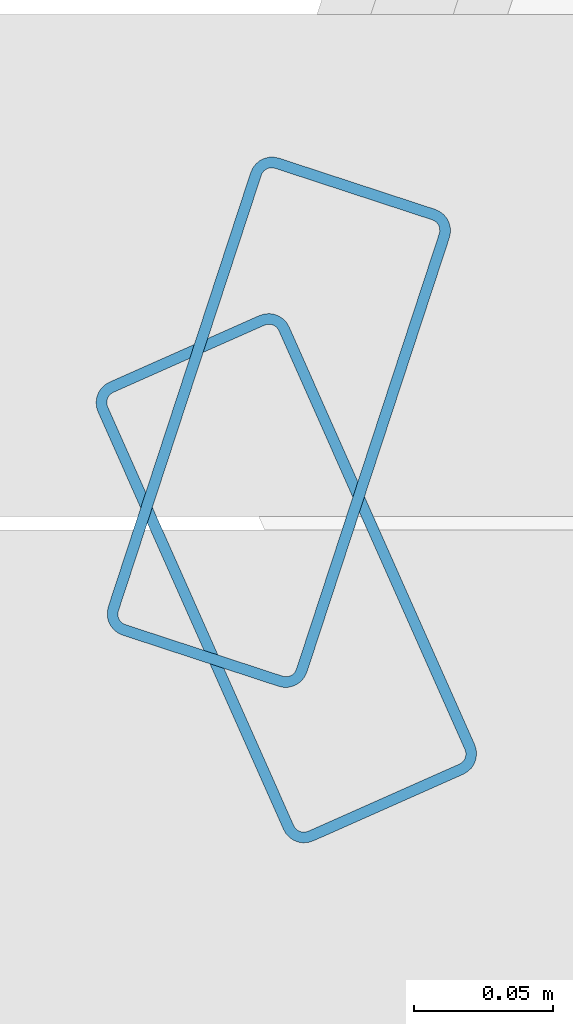
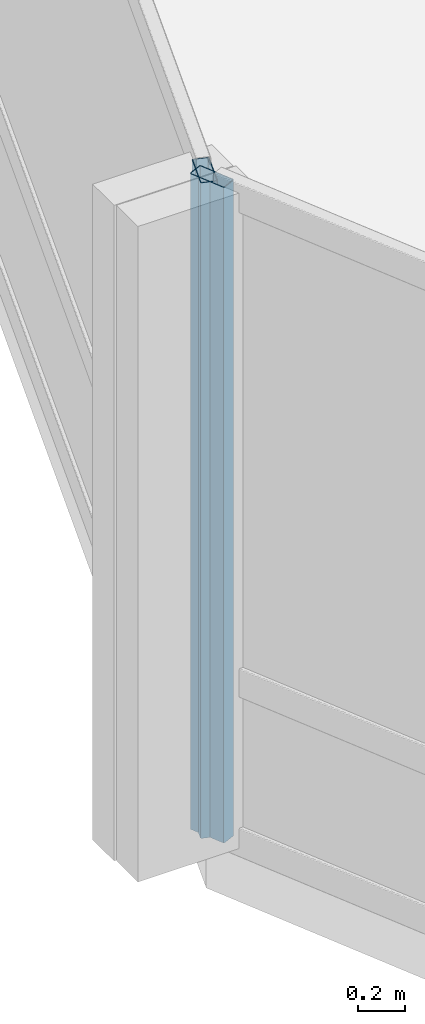
# One storey, part 6 of 29: 2 members, 2 elements without a shape of their own.
"""IFC4 building model written with IfcOpenShell, lengths in metres."""

from ifc_helpers import new_model, si_unit, direction, frame, origin, origin_2d, place, context, subcontext, project, spatial, hollow_rectangle, extrude, material, layer, layer_set, material_profile, profile_set, type_object, element, aggregate, save


model = new_model("IFC4")

# Units and contexts
model_context = context("Model", 3, precision=1e-05, world=origin(), true_north=direction((0.0, 1.0)))
body_context = subcontext(model_context, "Body", "Model", "MODEL_VIEW")
ifc_project = project(units=[si_unit("LENGTHUNIT", "METRE"), si_unit("AREAUNIT", "SQUARE_METRE"), si_unit("VOLUMEUNIT", "CUBIC_METRE"), si_unit("PLANEANGLEUNIT", "RADIAN"), si_unit("MASSUNIT", "GRAM", prefix="KILO")], contexts=[model_context])

# Site, building, storey
site_placement = place(None, origin())
site = spatial("IfcSite", under=ifc_project, at=site_placement, CompositionType="ELEMENT")
building_placement = place(site_placement, origin())
building = spatial("IfcBuilding", under=site, at=building_placement, Name="Solvaryn Broadcast Tower", CompositionType="ELEMENT")
storey_placement = place(building_placement, frame((0.0, 0.0, 165.5)))
storey = spatial("IfcBuildingStorey", under=building, at=storey_placement, Name="L41", CompositionType="ELEMENT", Elevation=165.5)

# Curtain wall, member
ifc_material_1 = material(Name="Aluminium and Terracotta Unitised Curtain Wall", Category="masonry")
ifc_layer = layer(ifc_material_1, 0.199951171875)
ifc_layer_set = layer_set([ifc_layer], Name="CW-SYS2-LOWMID")
curtain_wall_type = type_object("IfcCurtainWallType", Name="CW-SYS2-LOWMID", PredefinedType="NOTDEFINED", material=ifc_layer_set)
curtain_wall_1_placement = place(storey_placement, origin())
curtain_wall_1 = element("IfcCurtainWall", 1, at=curtain_wall_1_placement, inside=storey, type_object=curtain_wall_type, Name="L41 Curtain Wall DR1", PredefinedType="NOTDEFINED")
ifc_material_2 = material(Name="Anodised Aluminium 6063-T6", Category="aluminium")
ifc_material_profile = material_profile(ifc_material_2, hollow_rectangle(XDim=0.074951171875, YDim=0.179931640625, WallThickness=0.00390625, InnerFilletRadius=0.00390625, OuterFilletRadius=0.008056640625, at=origin_2d()))
ifc_profile_set = profile_set([ifc_material_profile], Name="Anodised Aluminium 6063-T6")
member_type = type_object("IfcMemberType", Name="CW-MUL-180", PredefinedType="MULLION", material=ifc_profile_set)
member_1_placement = place(storey_placement, frame((1.04345703125, 26.66455078125, 0.0), z_axis=(0.0, 0.0, 1.0), x_axis=(0.950198260794, -0.311646057547, 0.0)))
member_1 = element("IfcMember", 2, at=member_1_placement, type_object=member_type, Name="CWS2 mullion 2", PredefinedType="MULLION", context=body_context, shape_type="SweptSolid", body=[
    extrude(hollow_rectangle(XDim=0.074951171875, YDim=0.179931640625, WallThickness=0.00390625, InnerFilletRadius=0.00390625, OuterFilletRadius=0.008056640625, at=origin_2d()), origin(), (0.0, 0.0, 1.0), 3.3701171875),
])
aggregate(curtain_wall_1, [member_1])

curtain_wall_2_placement = place(storey_placement, origin())
curtain_wall_2 = element("IfcCurtainWall", 3, at=curtain_wall_2_placement, inside=storey, type_object=curtain_wall_type, Name="L41 Curtain Wall DR2", PredefinedType="NOTDEFINED")
member_2_placement = place(storey_placement, frame((1.046142578125, 26.608642578125, 0.0), z_axis=(0.0, 0.0, 1.0), x_axis=(0.913909311008, 0.405918429309, 0.0)))
member_2 = element("IfcMember", 4, at=member_2_placement, type_object=member_type, Name="CWS2 mullion 1", PredefinedType="MULLION", context=body_context, shape_type="SweptSolid", body=[
    extrude(hollow_rectangle(XDim=0.074951171875, YDim=0.179931640625, WallThickness=0.00390625, InnerFilletRadius=0.00390625, OuterFilletRadius=0.008056640625, at=origin_2d()), origin(), (0.0, 0.0, 1.0), 3.3701171875),
])
aggregate(curtain_wall_2, [member_2])

save(model, "model.ifc")
